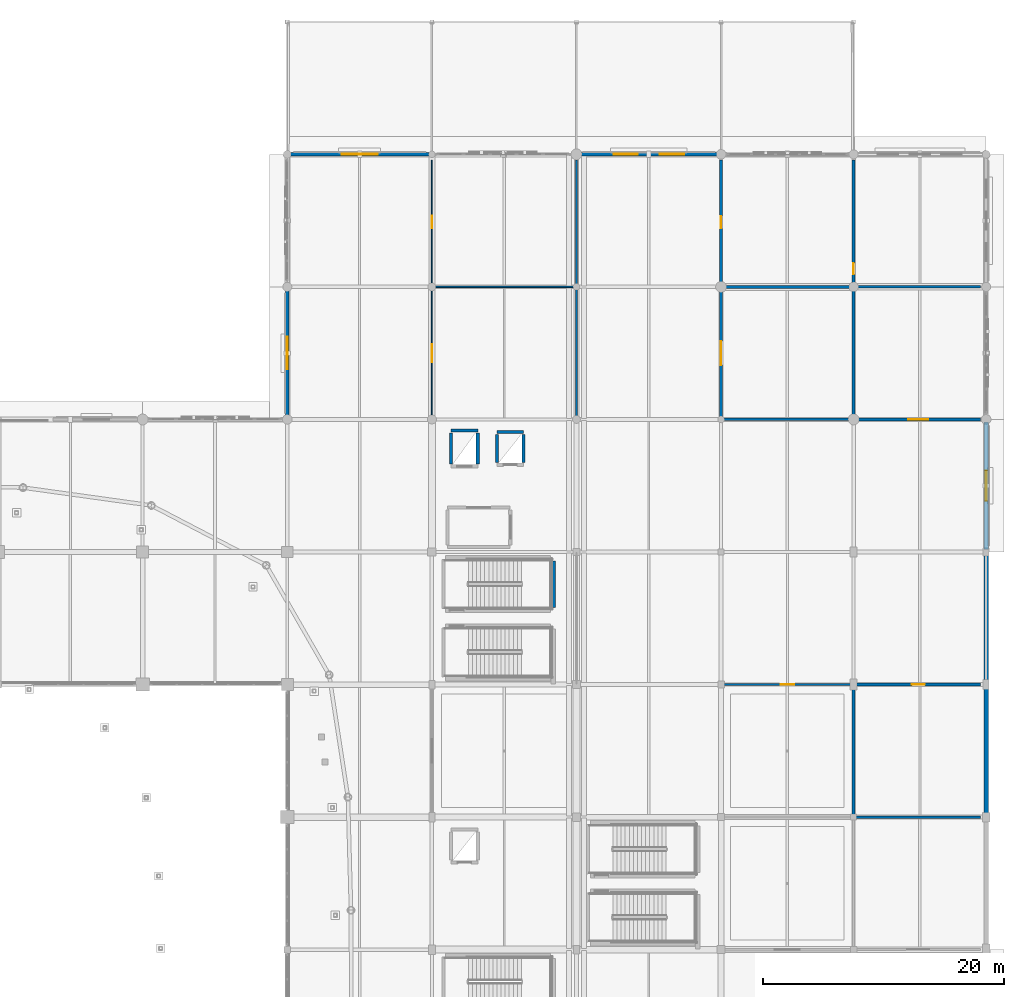
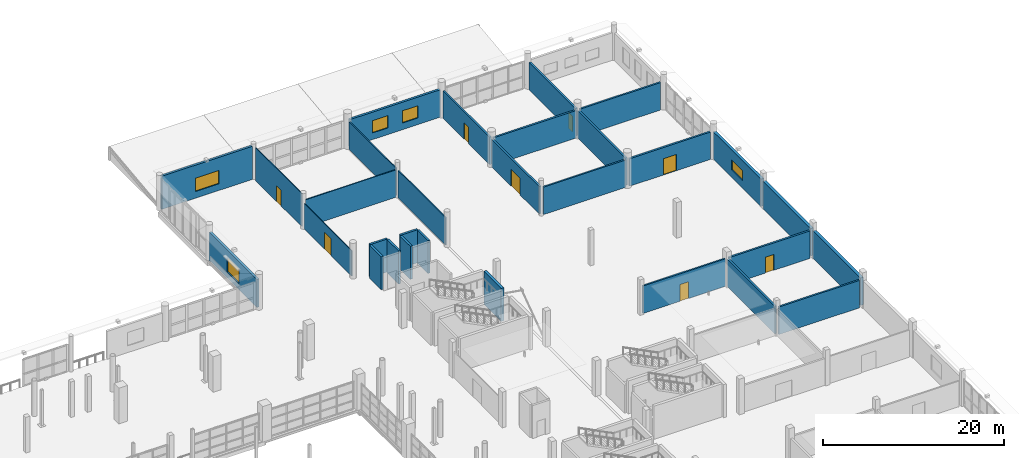
# One storey, part 100 of 143: 30 walls, 8 doors, 5 windows, 13 openings.
"""IFC4 building model written with IfcOpenShell, lengths in metres."""

from ifc_helpers import new_model, si_unit, direction, frame, frame_2d, origin, place, context, subcontext, project, spatial, rectangle, extrude, material, layer, layer_set, type_object, element, fill, save


model = new_model("IFC4")

# Units and contexts
model_context = context("Model", 3, precision=1e-05, world=origin(), true_north=direction((0.0, 1.0)))
body_context = subcontext(model_context, "Body", "Model", "MODEL_VIEW")
ifc_project = project(units=[si_unit("LENGTHUNIT", "METRE"), si_unit("AREAUNIT", "SQUARE_METRE"), si_unit("VOLUMEUNIT", "CUBIC_METRE"), si_unit("PLANEANGLEUNIT", "RADIAN"), si_unit("MASSUNIT", "GRAM", prefix="KILO")], contexts=[model_context])

# Site, building, storey
site_placement = place(None, origin())
site = spatial("IfcSite", under=ifc_project, at=site_placement, CompositionType="ELEMENT")
building_placement = place(site_placement, origin())
building = spatial("IfcBuilding", under=site, at=building_placement, Name="Luwafu Chhajja Arena", CompositionType="ELEMENT")
storey_placement = place(building_placement, frame((0.0, 0.0, 5.39990234375)))
storey = spatial("IfcBuildingStorey", under=building, at=storey_placement, Name="L01", CompositionType="ELEMENT", Elevation=5.39990234375)

# Wall, opening, door
ifc_material_1 = material(Name="Acoustic gypsum and mineral wool partition")
ifc_layer_1 = layer(ifc_material_1, 0.199951171875, Name="Acoustic gypsum and mineral wool partition")
ifc_layer_set_1 = layer_set([ifc_layer_1], Name="Acoustic gypsum and mineral wool partition")
wall_type_1 = type_object("IfcWallType", Name="Acoustic Broadcast Studio Partition 200", PredefinedType="PARTITIONING", material=ifc_layer_set_1)
wall_1_placement = place(storey_placement, frame((176.219970703125, 77.0, 0.0), z_axis=(0.0, 0.0, 1.0), x_axis=(1.0, 0.0, 0.0)))
wall_1 = element("IfcWall", 1, at=wall_1_placement, inside=storey, type_object=wall_type_1, Name="L01 Internal Partition 0243", PredefinedType="PARTITIONING", context=body_context, shape_type="SweptSolid", body=[
    extrude(rectangle(XDim=10.56005859375, YDim=0.199951171875, at=frame_2d((5.280029296875, 0.0))), origin(), (0.0, 0.0, 1.0), 3.705078125),
])
opening_1_placement = place(wall_1_placement, frame((4.719970703125, 0.0, 0.0)))
opening_1 = element("IfcOpeningElement", 2, at=opening_1_placement, cuts=wall_1, Name="Opening DR-16", PredefinedType="OPENING", context=body_context, shape_type="SweptSolid", body=[
    extrude(rectangle(XDim=1.1201171875, YDim=2.25, at=frame_2d((0.56005859375, 1.125))), frame((0.0, 0.10986328125, 0.0), z_axis=(0.0, -1.0, 0.0), x_axis=(1.0, 0.0, 0.0)), (0.0, 0.0, 1.0), 0.219970703125),
])
ifc_material_2 = material(Name="Acoustic steel-core timber door", Category="steel")
door_type_1 = type_object("IfcDoorType", Name="DR-16", OperationType="NOTDEFINED", PredefinedType="DOOR", material=ifc_material_2)
door_1_placement = place(opening_1_placement, origin())
door_1 = element("IfcDoor", 3, at=door_1_placement, inside=storey, type_object=door_type_1, Name="L01 Interior Door L01-D050", OperationType="SINGLE_SWING_LEFT", OverallHeight=2.25, OverallWidth=1.1201171875, PredefinedType="DOOR", context=body_context, shape_type="SweptSolid", body=[
    extrude(rectangle(XDim=1.1201171875, YDim=2.25, at=frame_2d((0.56005859375, 1.125))), frame((0.0, 0.02490234375, 0.0), z_axis=(0.0, -1.0, 0.0), x_axis=(1.0, 0.0, 0.0)), (0.0, 0.0, 1.0), 0.050048828125),
])
fill(opening_1, door_1)

# Walls
wall_2_placement = place(storey_placement, frame((176.219970703125, 99.0, 0.0), z_axis=(0.0, 0.0, 1.0), x_axis=(1.0, 0.0, 0.0)))
element("IfcWall", 4, at=wall_2_placement, inside=storey, type_object=wall_type_1, Name="L01 Internal Partition 0244", PredefinedType="PARTITIONING", context=body_context, shape_type="SweptSolid", body=[
    extrude(rectangle(XDim=10.56005859375, YDim=0.199951171875, at=frame_2d((5.280029296875, 0.0))), origin(), (0.0, 0.0, 1.0), 3.705078125),
])
ifc_material_3 = material(Name="Concrete C40/50", Category="concrete")
ifc_layer_2 = layer(ifc_material_3, 0.3798828125, Name="Concrete C40/50")
ifc_layer_set_2 = layer_set([ifc_layer_2], Name="Concrete C40/50")
wall_type_2 = type_object("IfcWallType", Name="Boundary Party Wall 380", PredefinedType="SOLIDWALL", material=ifc_layer_set_2)
for number, where, z_axis, x_axis, name in (
    (5, (198.0, 66.219970703125, 0.0), (0.0, 0.0, 1.0), (0.0, 1.0, 0.0), "L01 Exterior Wall WEX-L01-140"),
    (6, (198.0, 77.219970703125, 0.0), (0.0, 0.0, 1.0), (0.0, 1.0, 0.0), "L01 Exterior Wall WEX-L01-141"),
):
    element("IfcWall", number, at=place(storey_placement, frame(where, z_axis=z_axis, x_axis=x_axis)), inside=storey, type_object=wall_type_2, Name=name, PredefinedType="SOLIDWALL", context=body_context, shape_type="SweptSolid", body=[
        extrude(rectangle(XDim=10.56005859375, YDim=0.3798828125, at=frame_2d((5.280029296875, 0.0))), origin(), (0.0, 0.0, 1.0), 3.705078125),
    ])

# Wall, opening, window
ifc_material_4 = material(Name="Concrete C35/45", Category="concrete")
ifc_layer_3 = layer(ifc_material_4, 0.280029296875, Name="Concrete C35/45")
ifc_layer_set_3 = layer_set([ifc_layer_3], Name="Concrete C35/45")
wall_type_3 = type_object("IfcWallType", Name="Colonnade Arcade Spandrel Wall 280", PredefinedType="SOLIDWALL", material=ifc_layer_set_3)
wall_3_placement = place(storey_placement, frame((140.0, 99.219970703125, 0.0), z_axis=(0.0, 0.0, 1.0), x_axis=(0.0, 1.0, 0.0)))
wall_3 = element("IfcWall", 7, at=wall_3_placement, inside=storey, type_object=wall_type_3, Name="L01 Exterior Wall WEX-L01-130", PredefinedType="SOLIDWALL", context=body_context, shape_type="SweptSolid", body=[
    extrude(rectangle(XDim=10.56005859375, YDim=0.280029296875, at=frame_2d((5.280029296875, 0.0))), origin(), (0.0, 0.0, 1.0), 3.7900390625),
])
opening_2_placement = place(wall_3_placement, frame((3.929931640625, 0.0, 0.85009765625)))
opening_2 = element("IfcOpeningElement", 8, at=opening_2_placement, cuts=wall_3, Name="Opening WN-06", PredefinedType="OPENING", context=body_context, shape_type="SweptSolid", body=[
    extrude(rectangle(XDim=2.699951171875, YDim=1.949951171875, at=frame_2d((1.35009765625, 0.97509765625))), frame((0.0, 0.14990234375, 0.0), z_axis=(0.0, -1.0, 0.0), x_axis=(1.0, 0.0, 0.0)), (0.0, 0.0, 1.0), 0.300048828125),
])
ifc_material_5 = material(Name="Solar-control laminated glass", Category="glass")
window_type_1 = type_object("IfcWindowType", Name="Hospitality Suite Picture Window 2700x1950", PartitioningType="SINGLE_PANEL", PredefinedType="WINDOW", material=ifc_material_5)
window_1_placement = place(opening_2_placement, origin())
window_1 = element("IfcWindow", 9, at=window_1_placement, inside=storey, type_object=window_type_1, Name="L01 Facade Window 048", OverallHeight=1.949951171875, OverallWidth=2.699951171875, PartitioningType="SINGLE_PANEL", PredefinedType="WINDOW", context=body_context, shape_type="SweptSolid", body=[
    extrude(rectangle(XDim=2.699951171875, YDim=1.949951171875, at=frame_2d((1.35009765625, 0.97509765625))), frame((0.0, 0.030029296875, 0.0), z_axis=(0.0, -1.0, 0.0), x_axis=(1.0, 0.0, 0.0)), (0.0, 0.0, 1.0), 0.06005859375),
])
fill(opening_2, window_1)

wall_4_placement = place(storey_placement, frame((140.219970703125, 121.0, 0.0), z_axis=(0.0, 0.0, 1.0), x_axis=(1.0, 0.0, 0.0)))
wall_4 = element("IfcWall", 10, at=wall_4_placement, inside=storey, type_object=wall_type_3, Name="L01 Exterior Wall WEX-L01-131", PredefinedType="SOLIDWALL", context=body_context, shape_type="SweptSolid", body=[
    extrude(rectangle(XDim=11.56005859375, YDim=0.280029296875, at=frame_2d((5.780029296875, 0.0))), origin(), (0.0, 0.0, 1.0), 4.465087890625),
])
opening_3_placement = place(wall_4_placement, frame((4.280029296875, 0.0, 0.89990234375)))
opening_3 = element("IfcOpeningElement", 11, at=opening_3_placement, cuts=wall_4, Name="Opening WN-07", PredefinedType="OPENING", context=body_context, shape_type="SweptSolid", body=[
    extrude(rectangle(XDim=3.0, YDim=1.800048828125, at=frame_2d((1.5, 0.89990234375))), frame((0.0, 0.14990234375, 0.0), z_axis=(0.0, -1.0, 0.0), x_axis=(1.0, 0.0, 0.0)), (0.0, 0.0, 1.0), 0.300048828125),
])
window_type_2 = type_object("IfcWindowType", Name="Hospitality Lounge Ribbon Window 3000x1800", PartitioningType="SINGLE_PANEL", PredefinedType="WINDOW", material=ifc_material_5)
window_2_placement = place(opening_3_placement, origin())
window_2 = element("IfcWindow", 12, at=window_2_placement, inside=storey, type_object=window_type_2, Name="L01 Facade Window 049", OverallHeight=1.800048828125, OverallWidth=3.0, PartitioningType="SINGLE_PANEL", PredefinedType="WINDOW", context=body_context, shape_type="SweptSolid", body=[
    extrude(rectangle(XDim=3.0, YDim=1.800048828125, at=frame_2d((1.5, 0.89990234375))), frame((0.0, 0.030029296875, 0.0), z_axis=(0.0, -1.0, 0.0), x_axis=(1.0, 0.0, 0.0)), (0.0, 0.0, 1.0), 0.06005859375),
])
fill(opening_3, window_2)

# Wall, openings, windows
wall_5_placement = place(storey_placement, frame((164.219970703125, 121.0, 0.0), z_axis=(0.0, 0.0, 1.0), x_axis=(1.0, 0.0, 0.0)))
wall_5 = element("IfcWall", 13, at=wall_5_placement, inside=storey, type_object=wall_type_3, Name="L01 Exterior Wall WEX-L01-134", PredefinedType="SOLIDWALL", context=body_context, shape_type="SweptSolid", body=[
    extrude(rectangle(XDim=11.56005859375, YDim=0.280029296875, at=frame_2d((5.780029296875, 0.0))), origin(), (0.0, 0.0, 1.0), 3.705078125),
])
opening_4_placement = place(wall_5_placement, frame((2.853271484375, 0.0, 0.89990234375)))
opening_4 = element("IfcOpeningElement", 14, at=opening_4_placement, cuts=wall_5, Name="Opening WN-10", PredefinedType="OPENING", context=body_context, shape_type="SweptSolid", body=[
    extrude(rectangle(XDim=2.0, YDim=1.64990234375, at=frame_2d((1.0, 0.824951171875))), frame((0.0, 0.14990234375, 0.0), z_axis=(0.0, -1.0, 0.0), x_axis=(1.0, 0.0, 0.0)), (0.0, 0.0, 1.0), 0.300048828125),
])
opening_5_placement = place(wall_5_placement, frame((6.706787109375, 0.0, 0.89990234375)))
opening_5 = element("IfcOpeningElement", 15, at=opening_5_placement, cuts=wall_5, Name="Opening WN-10", PredefinedType="OPENING", context=body_context, shape_type="SweptSolid", body=[
    extrude(rectangle(XDim=2.0, YDim=1.64990234375, at=frame_2d((1.0, 0.824951171875))), frame((0.0, 0.14990234375, 0.0), z_axis=(0.0, -1.0, 0.0), x_axis=(1.0, 0.0, 0.0)), (0.0, 0.0, 1.0), 0.300048828125),
])
window_type_3 = type_object("IfcWindowType", Name="Community Classroom Window 2000x1650", PartitioningType="SINGLE_PANEL", PredefinedType="WINDOW", material=ifc_material_5)
window_3_placement = place(opening_4_placement, origin())
window_3 = element("IfcWindow", 16, at=window_3_placement, inside=storey, type_object=window_type_3, Name="L01 Facade Window 052", OverallHeight=1.64990234375, OverallWidth=2.0, PartitioningType="SINGLE_PANEL", PredefinedType="WINDOW", context=body_context, shape_type="SweptSolid", body=[
    extrude(rectangle(XDim=2.0, YDim=1.64990234375, at=frame_2d((1.0, 0.824951171875))), frame((0.0, 0.030029296875, 0.0), z_axis=(0.0, -1.0, 0.0), x_axis=(1.0, 0.0, 0.0)), (0.0, 0.0, 1.0), 0.06005859375),
])
fill(opening_4, window_3)
window_4_placement = place(opening_5_placement, origin())
window_4 = element("IfcWindow", 17, at=window_4_placement, inside=storey, type_object=window_type_3, Name="L01 Facade Window 053", OverallHeight=1.64990234375, OverallWidth=2.0, PartitioningType="SINGLE_PANEL", PredefinedType="WINDOW", context=body_context, shape_type="SweptSolid", body=[
    extrude(rectangle(XDim=2.0, YDim=1.64990234375, at=frame_2d((1.0, 0.824951171875))), frame((0.0, 0.030029296875, 0.0), z_axis=(0.0, -1.0, 0.0), x_axis=(1.0, 0.0, 0.0)), (0.0, 0.0, 1.0), 0.06005859375),
])
fill(opening_5, window_4)

# Wall, opening, door
ifc_material_6 = material(Name="Concrete blockwork masonry", Category="masonry")
ifc_layer_4 = layer(ifc_material_6, 0.239990234375, Name="Concrete blockwork masonry")
ifc_layer_set_4 = layer_set([ifc_layer_4], Name="Concrete blockwork masonry")
wall_type_4 = type_object("IfcWallType", Name="Compartment Masonry Partition 240", PredefinedType="PARTITIONING", material=ifc_layer_set_4)
wall_6_placement = place(storey_placement, frame((176.0, 99.219970703125, 0.0), z_axis=(0.0, 0.0, 1.0), x_axis=(0.0, 1.0, 0.0)))
wall_6 = element("IfcWall", 18, at=wall_6_placement, inside=storey, type_object=wall_type_4, Name="L01 Internal Partition 0239", PredefinedType="PARTITIONING", context=body_context, shape_type="SweptSolid", body=[
    extrude(rectangle(XDim=10.56005859375, YDim=0.239990234375, at=frame_2d((5.280029296875, 0.0))), origin(), (0.0, 0.0, 1.0), 3.705078125),
])
opening_6_placement = place(wall_6_placement, frame((4.280029296875, 0.0, 0.0)))
opening_6 = element("IfcOpeningElement", 19, at=opening_6_placement, cuts=wall_6, Name="Opening DR-08", PredefinedType="OPENING", context=body_context, shape_type="SweptSolid", body=[
    extrude(rectangle(XDim=2.0, YDim=2.25, at=frame_2d((1.0, 1.125))), frame((0.0, 0.1298828125, 0.0), z_axis=(0.0, -1.0, 0.0), x_axis=(1.0, 0.0, 0.0)), (0.0, 0.0, 1.0), 0.260009765625),
])
ifc_material_7 = material(Name="Fire-rated hardwood double leaf", Category="wood")
door_type_2 = type_object("IfcDoorType", Name="DR-08", OperationType="DOUBLE_DOOR_SINGLE_SWING", PredefinedType="DOOR", material=ifc_material_7)
door_2_placement = place(opening_6_placement, origin())
door_2 = element("IfcDoor", 20, at=door_2_placement, inside=storey, type_object=door_type_2, Name="L01 Interior Door L01-D047", OperationType="DOUBLE_DOOR_SINGLE_SWING", OverallHeight=2.25, OverallWidth=2.0, PredefinedType="DOOR", context=body_context, shape_type="SweptSolid", body=[
    extrude(rectangle(XDim=2.0, YDim=2.25, at=frame_2d((1.0, 1.125))), frame((0.0, 0.02490234375, 0.0), z_axis=(0.0, -1.0, 0.0), x_axis=(1.0, 0.0, 0.0)), (0.0, 0.0, 1.0), 0.050048828125),
])
fill(opening_6, door_2)

wall_7_placement = place(storey_placement, frame((187.219970703125, 77.0, 0.0), z_axis=(0.0, 0.0, 1.0), x_axis=(1.0, 0.0, 0.0)))
wall_7 = element("IfcWall", 21, at=wall_7_placement, inside=storey, type_object=wall_type_4, Name="L01 Internal Partition 0248", PredefinedType="PARTITIONING", context=body_context, shape_type="SweptSolid", body=[
    extrude(rectangle(XDim=10.300048828125, YDim=0.239990234375, at=frame_2d((5.14990234375, 0.0))), origin(), (0.0, 0.0, 1.0), 3.705078125),
])
opening_7_placement = place(wall_7_placement, frame((4.610107421875, 0.0, 0.0)))
opening_7 = element("IfcOpeningElement", 22, at=opening_7_placement, cuts=wall_7, Name="Opening DR-10", PredefinedType="OPENING", context=body_context, shape_type="SweptSolid", body=[
    extrude(rectangle(XDim=1.080078125, YDim=2.14990234375, at=frame_2d((0.5400390625, 1.074951171875))), frame((0.0, 0.1298828125, 0.0), z_axis=(0.0, -1.0, 0.0), x_axis=(1.0, 0.0, 0.0)), (0.0, 0.0, 1.0), 0.260009765625),
])
ifc_material_8 = material(Name="Fire-rated hardwood leaf", Category="wood")
door_type_3 = type_object("IfcDoorType", Name="DR-10", OperationType="NOTDEFINED", PredefinedType="DOOR", material=ifc_material_8)
door_3_placement = place(opening_7_placement, origin())
door_3 = element("IfcDoor", 23, at=door_3_placement, inside=storey, type_object=door_type_3, Name="L01 Interior Door L01-D054", OperationType="SINGLE_SWING_LEFT", OverallHeight=2.14990234375, OverallWidth=1.080078125, PredefinedType="DOOR", context=body_context, shape_type="SweptSolid", body=[
    extrude(rectangle(XDim=1.080078125, YDim=2.14990234375, at=frame_2d((0.5400390625, 1.074951171875))), frame((0.0, 0.02490234375, 0.0), z_axis=(0.0, -1.0, 0.0), x_axis=(1.0, 0.0, 0.0)), (0.0, 0.0, 1.0), 0.050048828125),
])
fill(opening_7, door_3)

wall_8_placement = place(storey_placement, frame((187.219970703125, 99.0, 0.0), z_axis=(0.0, 0.0, 1.0), x_axis=(1.0, 0.0, 0.0)))
wall_8 = element("IfcWall", 24, at=wall_8_placement, inside=storey, type_object=wall_type_4, Name="L01 Internal Partition 0249", PredefinedType="PARTITIONING", context=body_context, shape_type="SweptSolid", body=[
    extrude(rectangle(XDim=10.300048828125, YDim=0.239990234375, at=frame_2d((5.14990234375, 0.0))), origin(), (0.0, 0.0, 1.0), 3.705078125),
])
opening_8_placement = place(wall_8_placement, frame((4.31005859375, 0.0, 0.0)))
opening_8 = element("IfcOpeningElement", 25, at=opening_8_placement, cuts=wall_8, Name="Opening DR-11", PredefinedType="OPENING", context=body_context, shape_type="SweptSolid", body=[
    extrude(rectangle(XDim=1.679931640625, YDim=2.199951171875, at=frame_2d((0.83984375, 1.10009765625))), frame((0.0, 0.1298828125, 0.0), z_axis=(0.0, -1.0, 0.0), x_axis=(1.0, 0.0, 0.0)), (0.0, 0.0, 1.0), 0.260009765625),
])
ifc_material_9 = material(Name="Powder-coated steel fire leaf", Category="steel")
door_type_4 = type_object("IfcDoorType", Name="DR-11", OperationType="DOUBLE_DOOR_SINGLE_SWING", PredefinedType="DOOR", material=ifc_material_9)
door_4_placement = place(opening_8_placement, origin())
door_4 = element("IfcDoor", 26, at=door_4_placement, inside=storey, type_object=door_type_4, Name="L01 Interior Door L01-D055", OperationType="DOUBLE_DOOR_SINGLE_SWING", OverallHeight=2.199951171875, OverallWidth=1.679931640625, PredefinedType="DOOR", context=body_context, shape_type="SweptSolid", body=[
    extrude(rectangle(XDim=1.679931640625, YDim=2.199951171875, at=frame_2d((0.83984375, 1.10009765625))), frame((0.0, 0.02490234375, 0.0), z_axis=(0.0, -1.0, 0.0), x_axis=(1.0, 0.0, 0.0)), (0.0, 0.0, 1.0), 0.050048828125),
])
fill(opening_8, door_4)

# Walls
wall_9_placement = place(storey_placement, frame((187.0, 66.2099609375, 0.0), z_axis=(0.0, 0.0, 1.0), x_axis=(0.0, 1.0, 0.0)))
element("IfcWall", 27, at=wall_9_placement, inside=storey, type_object=wall_type_4, Name="L01 Internal Partition 0261", PredefinedType="PARTITIONING", context=body_context, shape_type="SweptSolid", body=[
    extrude(rectangle(XDim=10.570068359375, YDim=0.239990234375, at=frame_2d((5.28515625, 0.0))), origin(), (0.0, 0.0, 1.0), 3.705078125),
])
for number, where, z_axis, x_axis, name in (
    (28, (176.219970703125, 110.0, 0.0), (0.0, 0.0, 1.0), (1.0, 0.0, 0.0), "L01 Internal Partition 0262"),
    (29, (187.0, 99.219970703125, 0.0), (0.0, 0.0, 1.0), (0.0, 1.0, 0.0), "L01 Internal Partition 0263"),
):
    element("IfcWall", number, at=place(storey_placement, frame(where, z_axis=z_axis, x_axis=x_axis)), inside=storey, type_object=wall_type_4, Name=name, PredefinedType="PARTITIONING", context=body_context, shape_type="SweptSolid", body=[
        extrude(rectangle(XDim=10.56005859375, YDim=0.239990234375, at=frame_2d((5.280029296875, 0.0))), origin(), (0.0, 0.0, 1.0), 3.705078125),
    ])

# Wall, opening, door
wall_10_placement = place(storey_placement, frame((187.0, 110.219970703125, 0.0), z_axis=(0.0, 0.0, 1.0), x_axis=(0.0, 1.0, 0.0)))
wall_10 = element("IfcWall", 30, at=wall_10_placement, inside=storey, type_object=wall_type_4, Name="L01 Internal Partition 0264", PredefinedType="PARTITIONING", context=body_context, shape_type="SweptSolid", body=[
    extrude(rectangle(XDim=10.300048828125, YDim=0.239990234375, at=frame_2d((5.14990234375, 0.0))), origin(), (0.0, 0.0, 1.0), 3.705078125),
])
opening_9_placement = place(wall_10_placement, frame((0.8173828125, 0.0, 0.0)))
opening_9 = element("IfcOpeningElement", 31, at=opening_9_placement, cuts=wall_10, Name="Opening DR-17", PredefinedType="OPENING", context=body_context, shape_type="SweptSolid", body=[
    extrude(rectangle(XDim=0.93994140625, YDim=2.14990234375, at=frame_2d((0.469970703125, 1.074951171875))), frame((0.0, 0.1298828125, 0.0), z_axis=(0.0, -1.0, 0.0), x_axis=(1.0, 0.0, 0.0)), (0.0, 0.0, 1.0), 0.260009765625),
])
door_type_5 = type_object("IfcDoorType", Name="DR-17", OperationType="NOTDEFINED", PredefinedType="DOOR", material=ifc_material_2)
door_5_placement = place(opening_9_placement, origin())
door_5 = element("IfcDoor", 32, at=door_5_placement, inside=storey, type_object=door_type_5, Name="L01 Interior Door L01-D058", OperationType="SINGLE_SWING_RIGHT", OverallHeight=2.14990234375, OverallWidth=0.93994140625, PredefinedType="DOOR", context=body_context, shape_type="SweptSolid", body=[
    extrude(rectangle(XDim=0.93994140625, YDim=2.14990234375, at=frame_2d((0.469970703125, 1.074951171875))), frame((0.0, 0.02490234375, 0.0), z_axis=(0.0, -1.0, 0.0), x_axis=(1.0, 0.0, 0.0)), (0.0, 0.0, 1.0), 0.050048828125),
])
fill(opening_9, door_5)

# Walls
ifc_material_10 = material(Name="Lightweight blockwork partition", Category="masonry")
ifc_layer_5 = layer(ifc_material_10, 0.139892578125, Name="Lightweight blockwork partition")
ifc_layer_set_5 = layer_set([ifc_layer_5], Name="Lightweight blockwork partition")
wall_type_5 = type_object("IfcWallType", Name="Concourse Kiosk Partition 140", PredefinedType="PARTITIONING", material=ifc_layer_set_5)
wall_11_placement = place(storey_placement, frame((164.0, 99.219970703125, 0.0), z_axis=(0.0, 0.0, 1.0), x_axis=(0.0, 1.0, 0.0)))
element("IfcWall", 33, at=wall_11_placement, inside=storey, type_object=wall_type_5, Name="L01 Internal Partition 0236", PredefinedType="PARTITIONING", context=body_context, shape_type="SweptSolid", body=[
    extrude(rectangle(XDim=10.56005859375, YDim=0.139892578125, at=frame_2d((5.280029296875, 0.0))), origin(), (0.0, 0.0, 1.0), 3.690185546875),
])
wall_12_placement = place(storey_placement, frame((164.0, 110.219970703125, 0.0), z_axis=(0.0, 0.0, 1.0), x_axis=(0.0, 1.0, 0.0)))
element("IfcWall", 34, at=wall_12_placement, inside=storey, type_object=wall_type_5, Name="L01 Internal Partition 0237", PredefinedType="PARTITIONING", context=body_context, shape_type="SweptSolid", body=[
    extrude(rectangle(XDim=10.300048828125, YDim=0.139892578125, at=frame_2d((5.14990234375, 0.0))), origin(), (0.0, 0.0, 1.0), 3.705078125),
])

# Wall, opening, door
ifc_material_11 = material(Name="Gypsum plasterboard partition")
ifc_layer_6 = layer(ifc_material_11, 0.10009765625, Name="Gypsum plasterboard partition")
ifc_layer_set_6 = layer_set([ifc_layer_6], Name="Gypsum plasterboard partition")
wall_type_6 = type_object("IfcWallType", Name="Drywall Lining Partition 100", PredefinedType="PARTITIONING", material=ifc_layer_set_6)
wall_13_placement = place(storey_placement, frame((152.0, 99.219970703125, 0.0), z_axis=(0.0, 0.0, 1.0), x_axis=(0.0, 1.0, 0.0)))
wall_13 = element("IfcWall", 35, at=wall_13_placement, inside=storey, type_object=wall_type_6, Name="L01 Internal Partition 0233", PredefinedType="PARTITIONING", context=body_context, shape_type="SweptSolid", body=[
    extrude(rectangle(XDim=10.56005859375, YDim=0.10009765625, at=frame_2d((5.280029296875, 0.0))), origin(), (0.0, 0.0, 1.0), 3.440185546875),
])
opening_10_placement = place(wall_13_placement, frame((4.530029296875, 0.0, 0.0)))
opening_10 = element("IfcOpeningElement", 36, at=opening_10_placement, cuts=wall_13, Name="Opening DR-30", PredefinedType="OPENING", context=body_context, shape_type="SweptSolid", body=[
    extrude(rectangle(XDim=1.5, YDim=2.300048828125, at=frame_2d((0.75, 1.14990234375))), frame((0.0, 0.06005859375, 0.0), z_axis=(0.0, -1.0, 0.0), x_axis=(1.0, 0.0, 0.0)), (0.0, 0.0, 1.0), 0.1201171875),
])
ifc_material_12 = material(Name="Anodised bronze glazed double door")
door_type_6 = type_object("IfcDoorType", Name="DR-30", OperationType="DOUBLE_DOOR_SINGLE_SWING", PredefinedType="DOOR", material=ifc_material_12)
door_6_placement = place(opening_10_placement, origin())
door_6 = element("IfcDoor", 37, at=door_6_placement, inside=storey, type_object=door_type_6, Name="L01 Interior Door L01-D044", OperationType="DOUBLE_DOOR_SINGLE_SWING", OverallHeight=2.300048828125, OverallWidth=1.5, PredefinedType="DOOR", context=body_context, shape_type="SweptSolid", body=[
    extrude(rectangle(XDim=1.5, YDim=2.300048828125, at=frame_2d((0.75, 1.14990234375))), frame((0.0, 0.02490234375, 0.0), z_axis=(0.0, -1.0, 0.0), x_axis=(1.0, 0.0, 0.0)), (0.0, 0.0, 1.0), 0.050048828125),
])
fill(opening_10, door_6)

wall_14_placement = place(storey_placement, frame((152.0, 110.219970703125, 0.0), z_axis=(0.0, 0.0, 1.0), x_axis=(0.0, 1.0, 0.0)))
wall_14 = element("IfcWall", 38, at=wall_14_placement, inside=storey, type_object=wall_type_6, Name="L01 Internal Partition 0234", PredefinedType="PARTITIONING", context=body_context, shape_type="SweptSolid", body=[
    extrude(rectangle(XDim=10.300048828125, YDim=0.10009765625, at=frame_2d((5.14990234375, 0.0))), origin(), (0.0, 0.0, 1.0), 4.460205078125),
])
opening_11_placement = place(wall_14_placement, frame((4.6298828125, 0.0, 0.0)))
opening_11 = element("IfcOpeningElement", 39, at=opening_11_placement, cuts=wall_14, Name="Opening DR-28", PredefinedType="OPENING", context=body_context, shape_type="SweptSolid", body=[
    extrude(rectangle(XDim=1.0400390625, YDim=2.14990234375, at=frame_2d((0.52001953125, 1.074951171875))), frame((0.0, 0.06005859375, 0.0), z_axis=(0.0, -1.0, 0.0), x_axis=(1.0, 0.0, 0.0)), (0.0, 0.0, 1.0), 0.1201171875),
])
ifc_material_13 = material(Name="Moisture-resistant laminate leaf")
door_type_7 = type_object("IfcDoorType", Name="DR-28", OperationType="NOTDEFINED", PredefinedType="DOOR", material=ifc_material_13)
door_7_placement = place(opening_11_placement, origin())
door_7 = element("IfcDoor", 40, at=door_7_placement, inside=storey, type_object=door_type_7, Name="L01 Interior Door L01-D045", OperationType="SINGLE_SWING_LEFT", OverallHeight=2.14990234375, OverallWidth=1.0400390625, PredefinedType="DOOR", context=body_context, shape_type="SweptSolid", body=[
    extrude(rectangle(XDim=1.0400390625, YDim=2.14990234375, at=frame_2d((0.52001953125, 1.074951171875))), frame((0.0, 0.02490234375, 0.0), z_axis=(0.0, -1.0, 0.0), x_axis=(1.0, 0.0, 0.0)), (0.0, 0.0, 1.0), 0.050048828125),
])
fill(opening_11, door_7)

# Walls
ifc_material_14 = material(Name="Acoustic metal-stud gypsum board")
ifc_layer_7 = layer(ifc_material_14, 0.1201171875, Name="Acoustic metal-stud gypsum board")
ifc_layer_set_7 = layer_set([ifc_layer_7], Name="Acoustic metal-stud gypsum board")
wall_type_7 = type_object("IfcWallType", Name="Internal Room Partition 120", PredefinedType="PARTITIONING", material=ifc_layer_set_7)
wall_15_placement = place(storey_placement, frame((152.219970703125, 110.0, 0.0), z_axis=(0.0, 0.0, 1.0), x_axis=(1.0, 0.0, 0.0)))
element("IfcWall", 41, at=wall_15_placement, inside=storey, type_object=wall_type_7, Name="L01 Internal Partition 0257", PredefinedType="PARTITIONING", context=body_context, shape_type="SweptSolid", body=[
    extrude(rectangle(XDim=11.56005859375, YDim=0.1201171875, at=frame_2d((5.780029296875, 0.0))), origin(), (0.0, 0.0, 1.0), 3.705078125),
])
ifc_layer_8 = layer(ifc_material_4, 0.260009765625, Name="Concrete C35/45")
ifc_layer_set_8 = layer_set([ifc_layer_8], Name="Concrete C35/45")
wall_type_8 = type_object("IfcWallType", Name="Lift and Riser Shaft Wall 260", PredefinedType="SOLIDWALL", material=ifc_layer_set_8)
wall_16_placement = place(storey_placement, frame((153.590087890625, 98.0849609375, 0.0), z_axis=(0.0, 0.0, 1.0), x_axis=(1.0, 0.0, 0.0)))
element("IfcWall", 42, at=wall_16_placement, inside=storey, type_object=wall_type_8, Name="L01 Lift LF-04 Shaft Wall N", PredefinedType="SOLIDWALL", context=body_context, shape_type="SweptSolid", body=[
    extrude(rectangle(XDim=2.219970703125, YDim=0.260009765625, at=frame_2d((1.10986328125, 0.0))), origin(), (0.0, 0.0, 1.0), 4.460205078125),
])
for number, where, z_axis, x_axis, name in (
    (43, (153.590087890625, 95.31494140625, 0.0), (0.0, 0.0, 1.0), (0.0, 1.0, 0.0), "L01 Lift LF-04 Shaft Wall W"),
    (44, (155.81005859375, 95.31494140625, 0.0), (0.0, 0.0, 1.0), (0.0, 1.0, 0.0), "L01 Lift LF-04 Shaft Wall E"),
):
    element("IfcWall", number, at=place(storey_placement, frame(where, z_axis=z_axis, x_axis=x_axis)), inside=storey, type_object=wall_type_8, Name=name, PredefinedType="SOLIDWALL", context=body_context, shape_type="SweptSolid", body=[
        extrude(rectangle(XDim=2.570068359375, YDim=0.260009765625, at=frame_2d((1.28515625, 0.0))), origin(), (0.0, 0.0, 1.0), 4.460205078125),
    ])
wall_17_placement = place(storey_placement, frame((157.389892578125, 97.9599609375, 0.0), z_axis=(0.0, 0.0, 1.0), x_axis=(1.0, 0.0, 0.0)))
element("IfcWall", 45, at=wall_17_placement, inside=storey, type_object=wall_type_8, Name="L01 Lift LF-08 Shaft Wall N", PredefinedType="SOLIDWALL", context=body_context, shape_type="SweptSolid", body=[
    extrude(rectangle(XDim=2.22021484375, YDim=0.260009765625, at=frame_2d((1.110107421875, 0.0))), origin(), (0.0, 0.0, 1.0), 4.460205078125),
])
for number, where, z_axis, x_axis, name in (
    (46, (157.389892578125, 95.43994140625, 0.0), (0.0, 0.0, 1.0), (0.0, 1.0, 0.0), "L01 Lift LF-08 Shaft Wall W"),
    (47, (159.610107421875, 95.43994140625, 0.0), (0.0, 0.0, 1.0), (0.0, 1.0, 0.0), "L01 Lift LF-08 Shaft Wall E"),
):
    element("IfcWall", number, at=place(storey_placement, frame(where, z_axis=z_axis, x_axis=x_axis)), inside=storey, type_object=wall_type_8, Name=name, PredefinedType="SOLIDWALL", context=body_context, shape_type="SweptSolid", body=[
        extrude(rectangle(XDim=2.320068359375, YDim=0.260009765625, at=frame_2d((1.16015625, 0.0))), origin(), (0.0, 0.0, 1.0), 4.460205078125),
    ])

# Wall, opening, door
ifc_layer_9 = layer(ifc_material_6, 0.219970703125, Name="Concrete blockwork masonry")
ifc_layer_set_9 = layer_set([ifc_layer_9], Name="Concrete blockwork masonry")
wall_type_9 = type_object("IfcWallType", Name="Protected Corridor Partition 220", PredefinedType="PARTITIONING", material=ifc_layer_set_9)
wall_18_placement = place(storey_placement, frame((176.0, 110.219970703125, 0.0), z_axis=(0.0, 0.0, 1.0), x_axis=(0.0, 1.0, 0.0)))
wall_18 = element("IfcWall", 48, at=wall_18_placement, inside=storey, type_object=wall_type_9, Name="L01 Internal Partition 0240", PredefinedType="PARTITIONING", context=body_context, shape_type="SweptSolid", body=[
    extrude(rectangle(XDim=10.300048828125, YDim=0.219970703125, at=frame_2d((5.14990234375, 0.0))), origin(), (0.0, 0.0, 1.0), 3.705078125),
])
opening_12_placement = place(wall_18_placement, frame((4.639892578125, 0.0, 0.0)))
opening_12 = element("IfcOpeningElement", 49, at=opening_12_placement, cuts=wall_18, Name="Opening DR-13", PredefinedType="OPENING", context=body_context, shape_type="SweptSolid", body=[
    extrude(rectangle(XDim=1.02001953125, YDim=2.25, at=frame_2d((0.510009765625, 1.125))), frame((0.0, 0.119873046875, 0.0), z_axis=(0.0, -1.0, 0.0), x_axis=(1.0, 0.0, 0.0)), (0.0, 0.0, 1.0), 0.239990234375),
])
ifc_material_15 = material(Name="Veneered hardwood acoustic leaf", Category="wood")
door_type_8 = type_object("IfcDoorType", Name="DR-13", OperationType="NOTDEFINED", PredefinedType="DOOR", material=ifc_material_15)
door_8_placement = place(opening_12_placement, origin())
door_8 = element("IfcDoor", 50, at=door_8_placement, inside=storey, type_object=door_type_8, Name="L01 Interior Door L01-D048", OperationType="SINGLE_SWING_RIGHT", OverallHeight=2.25, OverallWidth=1.02001953125, PredefinedType="DOOR", context=body_context, shape_type="SweptSolid", body=[
    extrude(rectangle(XDim=1.02001953125, YDim=2.25, at=frame_2d((0.510009765625, 1.125))), frame((0.0, 0.02490234375, 0.0), z_axis=(0.0, -1.0, 0.0), x_axis=(1.0, 0.0, 0.0)), (0.0, 0.0, 1.0), 0.050048828125),
])
fill(opening_12, door_8)

# Walls
wall_19_placement = place(storey_placement, frame((187.2099609375, 66.0, 0.0), z_axis=(0.0, 0.0, 1.0), x_axis=(1.0, 0.0, 0.0)))
element("IfcWall", 51, at=wall_19_placement, inside=storey, type_object=wall_type_9, Name="L01 Internal Partition 0266", PredefinedType="PARTITIONING", context=body_context, shape_type="SweptSolid", body=[
    extrude(rectangle(XDim=10.31005859375, YDim=0.219970703125, at=frame_2d((5.155029296875, 0.0))), origin(), (0.0, 0.0, 1.0), 3.705078125),
])
wall_20_placement = place(storey_placement, frame((187.219970703125, 110.0, 0.0), z_axis=(0.0, 0.0, 1.0), x_axis=(1.0, 0.0, 0.0)))
element("IfcWall", 52, at=wall_20_placement, inside=storey, type_object=wall_type_9, Name="L01 Internal Partition 0267", PredefinedType="PARTITIONING", context=body_context, shape_type="SweptSolid", body=[
    extrude(rectangle(XDim=10.300048828125, YDim=0.219970703125, at=frame_2d((5.14990234375, 0.0))), origin(), (0.0, 0.0, 1.0), 3.705078125),
])
ifc_layer_10 = layer(ifc_material_3, 0.35009765625, Name="Concrete C40/50")
ifc_layer_set_10 = layer_set([ifc_layer_10], Name="Concrete C40/50")
wall_type_10 = type_object("IfcWallType", Name="RC Core Shear Wall 350", PredefinedType="SOLIDWALL", material=ifc_layer_set_10)
wall_21_placement = place(storey_placement, frame((162.072021484375, 83.409912109375, 0.0), z_axis=(0.0, 0.0, 1.0), x_axis=(0.0, 1.0, 0.0)))
element("IfcWall", 53, at=wall_21_placement, inside=storey, type_object=wall_type_10, Name="L01 Stair ST-08 Core Shear Wall E", PredefinedType="SOLIDWALL", context=body_context, shape_type="SweptSolid", body=[
    extrude(rectangle(XDim=3.840087890625, YDim=0.35009765625, at=frame_2d((1.919921875, 0.0))), origin(), (0.0, 0.0, 1.0), 4.460205078125),
])

# Wall, opening, window
ifc_layer_11 = layer(ifc_material_4, 0.360107421875, Name="Concrete C35/45")
ifc_layer_set_11 = layer_set([ifc_layer_11], Name="Concrete C35/45")
wall_type_11 = type_object("IfcWallType", Name="Sandstone Backed Exterior Wall 360", PredefinedType="SOLIDWALL", material=ifc_layer_set_11)
wall_22_placement = place(storey_placement, frame((198.0, 88.219970703125, 0.0), z_axis=(0.0, 0.0, 1.0), x_axis=(0.0, 1.0, 0.0)))
wall_22 = element("IfcWall", 54, at=wall_22_placement, inside=storey, type_object=wall_type_11, Name="L01 Exterior Wall WEX-L01-142", PredefinedType="SOLIDWALL", context=body_context, shape_type="SweptSolid", body=[
    extrude(rectangle(XDim=10.56005859375, YDim=0.360107421875, at=frame_2d((5.280029296875, 0.0))), origin(), (0.0, 0.0, 1.0), 3.705078125),
])
opening_13_placement = place(wall_22_placement, frame((4.030029296875, 0.0, 1.0)))
opening_13 = element("IfcOpeningElement", 55, at=opening_13_placement, cuts=wall_22, Name="Opening WN-20", PredefinedType="OPENING", context=body_context, shape_type="SweptSolid", body=[
    extrude(rectangle(XDim=2.5, YDim=1.35009765625, at=frame_2d((1.25, 0.675048828125))), frame((0.0, 0.18994140625, 0.0), z_axis=(0.0, -1.0, 0.0), x_axis=(1.0, 0.0, 0.0)), (0.0, 0.0, 1.0), 0.380126953125),
])
window_type_4 = type_object("IfcWindowType", Name="Broadcast Gallery Slot Window 2500x1350", PartitioningType="SINGLE_PANEL", PredefinedType="WINDOW", material=ifc_material_5)
window_5_placement = place(opening_13_placement, origin())
window_5 = element("IfcWindow", 56, at=window_5_placement, inside=storey, type_object=window_type_4, Name="L01 Facade Window 061", OverallHeight=1.35009765625, OverallWidth=2.5, PartitioningType="SINGLE_PANEL", PredefinedType="WINDOW", context=body_context, shape_type="SweptSolid", body=[
    extrude(rectangle(XDim=2.5, YDim=1.35009765625, at=frame_2d((1.25, 0.675048828125))), frame((0.0, 0.030029296875, 0.0), z_axis=(0.0, -1.0, 0.0), x_axis=(1.0, 0.0, 0.0)), (0.0, 0.0, 1.0), 0.06005859375),
])
fill(opening_13, window_5)

save(model, "model.ifc")
